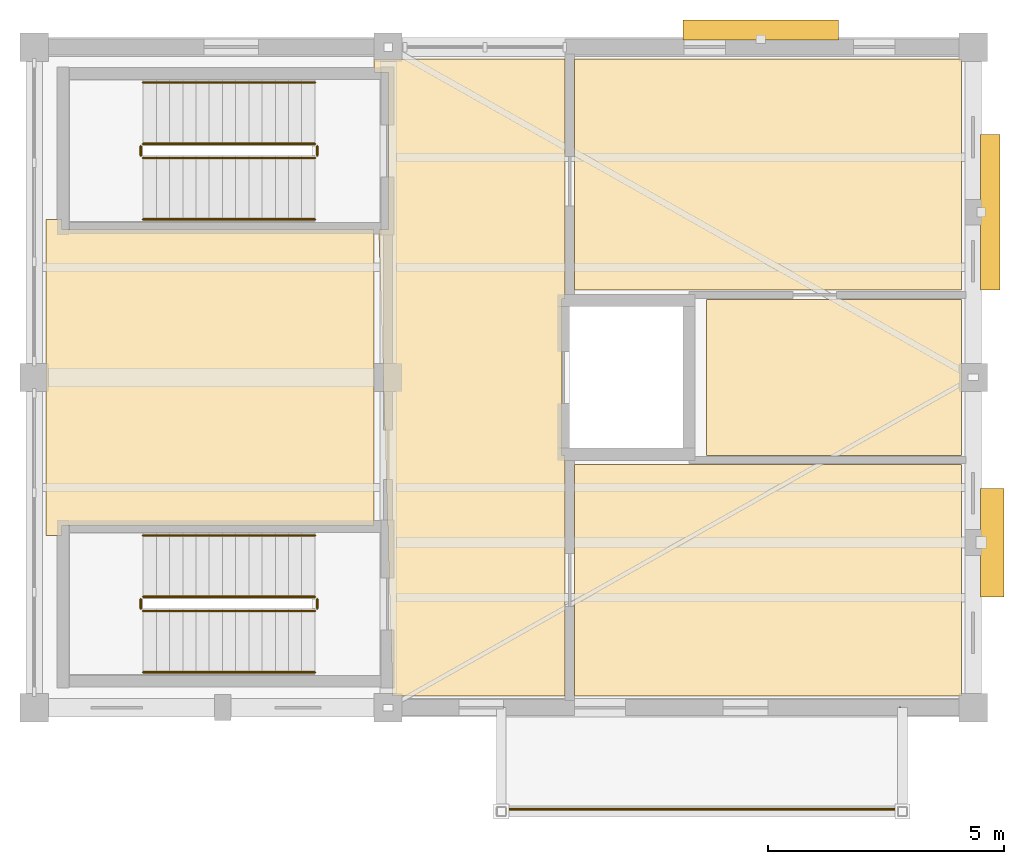
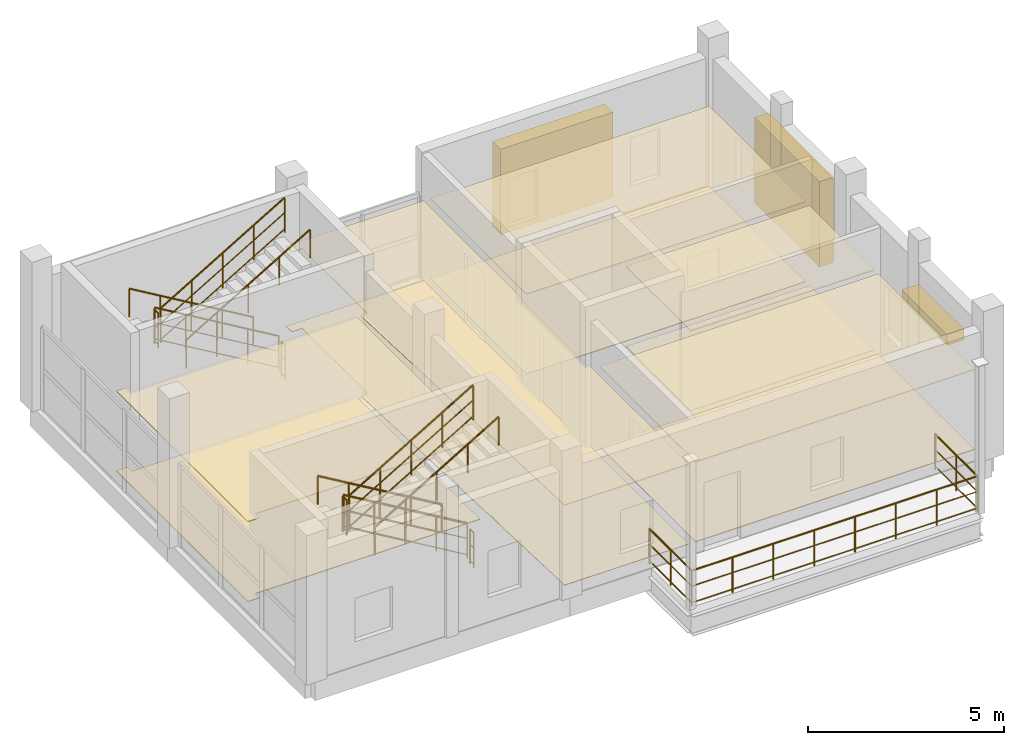
# One storey, part 4 of 4: 13 railings, 10 coverings, 3 shading devices.
"""IFC4 building model written with IfcOpenShell, lengths in metres."""

import ifcopenshell
import ifcopenshell.guid

model = None  # the IFC model being written
_history = None  # IfcOwnerHistory: only IFC2X3 demands one
_inside = {}  # id of a spatial element -> (the spatial element, [elements in it])
_under = {}  # id of a project, library or spatial element -> (it, [spatial elements below it])
_declared = {}  # id of a project -> (the project, [libraries it declares])
_typed = {}  # id of a type object -> (the type object, [elements of that type])
_made_of = {}  # id of a material, layer set ... -> (it, [elements and type objects made of it])


def new_model(schema):
    """Start an empty IFC model of exactly this schema.

    Asked for "IFC4X3", IfcOpenShell would pick the latest addendum, in which some entities
    have other attributes; the version numbers below select the first issue.
    IFC2X3 requires an IfcOwnerHistory on every rooted entity: one is made here for all.
    """
    global model, _history
    if schema == "IFC4X3":
        model = ifcopenshell.file(schema_version=(4, 3, 0, 0))
    else:
        model = ifcopenshell.file(schema=schema)
    _inside.clear()
    _under.clear()
    _declared.clear()
    _typed.clear()
    _made_of.clear()
    _history = None
    if model.schema == "IFC2X3":
        org = make("IfcOrganization", Name="unknown")
        user = make(
            "IfcPersonAndOrganization",
            ThePerson=make("IfcPerson", FamilyName="unknown"),
            TheOrganization=org,
        )
        app = make(
            "IfcApplication",
            ApplicationDeveloper=org,
            Version="unknown",
            ApplicationFullName="unknown",
            ApplicationIdentifier="unknown",
        )
        _history = make(
            "IfcOwnerHistory",
            OwningUser=user,
            OwningApplication=app,
            ChangeAction="ADDED",
            CreationDate=0,
        )
    return model


def make(cls, **values):
    """One entity of the class cls with the attributes given. An attribute that is None is left unset."""
    return model.create_entity(
        cls, **{name: value for name, value in values.items() if value is not None}
    )


def rooted(cls, **values):
    """An entity with a GlobalId (a new one), such as an element, a storey or a relation."""
    return make(cls, GlobalId=ifcopenshell.guid.new(), OwnerHistory=_history, **values)


def si_unit(unit_type, name, prefix=None):
    """IfcSIUnit, for example si_unit("LENGTHUNIT", "METRE", prefix="MILLI")."""
    return make("IfcSIUnit", UnitType=unit_type, Prefix=prefix, Name=name)


def assignment(units):
    """IfcUnitAssignment: the units of a project."""
    return None if units is None else make("IfcUnitAssignment", Units=units)


def point(xyz):
    """IfcCartesianPoint."""
    return None if xyz is None else make("IfcCartesianPoint", Coordinates=xyz)


def direction(xyz):
    """IfcDirection."""
    return None if xyz is None else make("IfcDirection", DirectionRatios=xyz)


def frame(location, z_axis=None, x_axis=None):
    """IfcAxis2Placement3D, a coordinate frame: its origin and axes. An axis left out is left unset."""
    return make(
        "IfcAxis2Placement3D",
        Location=point(location),
        Axis=direction(z_axis),
        RefDirection=direction(x_axis),
    )


def frame_2d(location, x_axis=None):
    """IfcAxis2Placement2D, a coordinate frame in the plane: its origin and x axis."""
    return make(
        "IfcAxis2Placement2D", Location=point(location), RefDirection=direction(x_axis)
    )


def origin():
    """The frame at (0, 0, 0) with its axes left unset."""
    return frame((0.0, 0.0, 0.0))


def origin_2d():
    """The frame at (0, 0) in the plane with its x axis left unset."""
    return frame_2d((0.0, 0.0))


def place(relative_to, where):
    """IfcLocalPlacement: puts the frame where relative to a parent placement (None: the world)."""
    return make(
        "IfcLocalPlacement", PlacementRelTo=relative_to, RelativePlacement=where
    )


def context(
    kind, dimensions, precision=None, world=None, true_north=None, identifier=None
):
    """IfcGeometricRepresentationContext, for example the 3D "Model" context."""
    return make(
        "IfcGeometricRepresentationContext",
        ContextIdentifier=identifier,
        ContextType=kind,
        CoordinateSpaceDimension=dimensions,
        Precision=precision,
        WorldCoordinateSystem=world,
        TrueNorth=true_north,
    )


def subcontext(parent, identifier, kind, view, scale=None):
    """IfcGeometricRepresentationSubContext, for example "Body" below "Model"."""
    return make(
        "IfcGeometricRepresentationSubContext",
        ContextIdentifier=identifier,
        ContextType=kind,
        ParentContext=parent,
        TargetScale=scale,
        TargetView=view,
    )


def project(units=None, contexts=None):
    """IfcProject with its units and contexts."""
    return rooted(
        "IfcProject",
        Name="project",
        RepresentationContexts=contexts,
        UnitsInContext=assignment(units),
    )


def spatial(cls, under=None, at=None, **own):
    """A site, building, storey or space (cls), placed at a placement, below another one or the project."""
    s = rooted(cls, ObjectPlacement=at, **own)
    if under is not None:
        _under.setdefault(under.id(), (under, []))[1].append(s)
    return s


def polyline(points):
    """IfcPolyline through the points."""
    return make("IfcPolyline", Points=[point(p) for p in points])


def profile(cls, at=None, kind="AREA", **sizes):
    """A parametric profile (cls). Its sizes go by their IFC names, for example OverallWidth=200.0."""
    return make(cls, ProfileType=kind, Position=at, **sizes)


def rectangle(**sizes):
    """IfcRectangleProfileDef."""
    return profile("IfcRectangleProfileDef", **sizes)


def circle(**sizes):
    """IfcCircleProfileDef."""
    return profile("IfcCircleProfileDef", **sizes)


def outline(outer, holes=None, kind="AREA"):
    """IfcArbitraryClosedProfileDef: a profile drawn as a closed curve; with holes, ...WithVoids."""
    if holes is None:
        return make("IfcArbitraryClosedProfileDef", ProfileType=kind, OuterCurve=outer)
    return make(
        "IfcArbitraryProfileDefWithVoids",
        ProfileType=kind,
        OuterCurve=outer,
        InnerCurves=holes,
    )


def extrude(swept, where, along, depth):
    """IfcExtrudedAreaSolid: the profile swept, set in the frame where, extruded along a direction by depth."""
    return make(
        "IfcExtrudedAreaSolid",
        SweptArea=swept,
        Position=where,
        ExtrudedDirection=direction(along),
        Depth=depth,
    )


def shape(context_of_items, identifier, shape_type, items):
    """IfcShapeRepresentation: the items that make up one representation, for example the "Body"."""
    return make(
        "IfcShapeRepresentation",
        ContextOfItems=context_of_items,
        RepresentationIdentifier=identifier,
        RepresentationType=shape_type,
        Items=items,
    )


def material(Name=None, Category=None):
    """IfcMaterial."""
    return make("IfcMaterial", Name=Name, Category=Category)


def layer(
    of_material, thickness, ventilated=None, Name=None, Category=None, Priority=None
):
    """IfcMaterialLayer: one layer of a wall or slab, of a material (None: an air gap)."""
    return make(
        "IfcMaterialLayer",
        Material=of_material,
        LayerThickness=thickness,
        IsVentilated=ventilated,
        Name=Name,
        Category=Category,
        Priority=Priority,
    )


def layer_set(layers, Name=None):
    """IfcMaterialLayerSet."""
    return make("IfcMaterialLayerSet", MaterialLayers=layers, LayerSetName=Name)


def made_of(thing, what):
    """Note that an element or type object is made of a material, layer set ...; save() writes the relation."""
    if what is not None:
        _made_of.setdefault(what.id(), (what, []))[1].append(thing)
    return thing


def type_object(cls, material=None, **own):
    """A type object (cls), such as IfcWallType, which elements share."""
    return made_of(rooted(cls, **own), material)


def element(
    cls,
    number,
    at=None,
    inside=None,
    cuts=None,
    type_object=None,
    material=None,
    context=None,
    identifier="Body",
    shape_type=None,
    held_by="IfcProductDefinitionShape",
    body=None,
    shapes=None,
    **own,
):
    """One element of the class cls, such as IfcWall. Its Tag is "e" and its number.

    at: its placement. inside: the storey or other place that contains it. cuts: it is an
    opening in that element (IfcRelVoidsElement). A single representation is given by context,
    identifier, shape_type and body (its items); several are given by shapes. held_by: the class
    of the entity that holds the representations. save() writes the other relations.
    """
    e = rooted(cls, Tag="e%d" % number, ObjectPlacement=at, **own)
    if body is not None:
        shapes = [shape(context, identifier, shape_type, body)]
    if shapes is not None:
        e.Representation = make(held_by, Representations=shapes)
    if inside is not None:
        _inside.setdefault(inside.id(), (inside, []))[1].append(e)
    if cuts is not None:
        rooted(
            "IfcRelVoidsElement", RelatingBuildingElement=cuts, RelatedOpeningElement=e
        )
    if type_object is not None:
        _typed.setdefault(type_object.id(), (type_object, []))[1].append(e)
    return made_of(e, material)


def aggregate(whole, parts):
    """IfcRelAggregates: a whole, such as a stair, and the parts it consists of."""
    return rooted("IfcRelAggregates", RelatingObject=whole, RelatedObjects=parts)


def save(model, path):
    """Write the relations noted so far, then the file.

    IfcRelAggregates (storeys below a building ...), IfcRelContainedInSpatialStructure (elements
    in a storey), IfcRelDefinesByType, IfcRelAssociatesMaterial and IfcRelDeclares: one each for
    every whole, place, type object, material and project.
    """
    for whole, parts in _under.values():
        aggregate(whole, parts)
    for where, things in _inside.values():
        rooted(
            "IfcRelContainedInSpatialStructure",
            RelatedElements=things,
            RelatingStructure=where,
        )
    for kind, things in _typed.values():
        rooted("IfcRelDefinesByType", RelatedObjects=things, RelatingType=kind)
    for what, things in _made_of.values():
        rooted("IfcRelAssociatesMaterial", RelatedObjects=things, RelatingMaterial=what)
    for by, libraries in _declared.values():
        rooted("IfcRelDeclares", RelatingContext=by, RelatedDefinitions=libraries)
    model.write(path)


model = new_model("IFC4")

# Units and contexts
model_context = context("Model", 3, precision=1e-05, world=origin(), true_north=direction((0.0, 1.0)))
body_context = subcontext(model_context, "Body", "Model", "MODEL_VIEW")
ifc_project = project(units=[si_unit("LENGTHUNIT", "METRE"), si_unit("AREAUNIT", "SQUARE_METRE"), si_unit("VOLUMEUNIT", "CUBIC_METRE"), si_unit("PLANEANGLEUNIT", "RADIAN"), si_unit("MASSUNIT", "GRAM", prefix="KILO")], contexts=[model_context])

# Site, building, storey
site_placement = place(None, origin())
site = spatial("IfcSite", under=ifc_project, at=site_placement, CompositionType="ELEMENT")
building_placement = place(site_placement, origin())
building = spatial("IfcBuilding", under=site, at=building_placement, Name="Trellovar Central Fire Station", CompositionType="ELEMENT")
storey_placement = place(building_placement, frame((0.0, 0.0, 17.39990234375)))
storey = spatial("IfcBuildingStorey", under=building, at=storey_placement, Name="L05", CompositionType="ELEMENT", Elevation=17.39990234375)

# Coverings
ifc_material_1 = material(Name="Perforated acoustic mineral fiber ceiling tile", Category="mineral")
ifc_layer_1 = layer(ifc_material_1, 0.02490234375)
ifc_layer_set_1 = layer_set([ifc_layer_1], Name="Perforated acoustic mineral fiber ceiling tile")
covering_type_1 = type_object("IfcCoveringType", Name="COV-CLG1", PredefinedType="CEILING", material=ifc_layer_set_1)
covering_1_placement = place(storey_placement, frame((0.0, 0.0, 2.47998046875)))
element("IfcCovering", 1, at=covering_1_placement, inside=storey, type_object=covering_type_1, Name="Drill Tower Level Five Lobby suspended ceiling", PredefinedType="CEILING", context=body_context, shape_type="SweptSolid", body=[
    extrude(outline(polyline([(152.35009765625, 67.659912109375), (152.2900390625, 67.659912109375), (152.2900390625, 64.340087890625), (152.35009765625, 64.340087890625), (152.35009765625, 59.25), (148.699951171875, 59.25), (148.610107421875, 62.287109375), (148.610107421875, 62.860107421875), (148.593017578125, 62.860107421875), (148.406982421875, 69.139892578125), (148.610107421875, 69.139892578125), (148.610107421875, 72.4599609375), (148.30908203125, 72.4599609375), (148.300048828125, 72.75), (152.35009765625, 72.75), (152.35009765625, 67.659912109375)])), origin(), (0.0, 0.0, 1.0), 0.025146484375),
])
covering_2_placement = place(storey_placement, frame((0.0, 0.0, 2.47998046875)))
element("IfcCovering", 2, at=covering_2_placement, inside=storey, type_object=covering_type_1, Name="Confined Space Rescue Chamber suspended ceiling", PredefinedType="CEILING", context=body_context, shape_type="SweptSolid", body=[
    extrude(outline(polyline([(141.68994140625, 69.35009765625), (141.68994140625, 69.139892578125), (148.300048828125, 69.139892578125), (148.300048828125, 62.860107421875), (141.68994140625, 62.860107421875), (141.68994140625, 62.64990234375), (141.35009765625, 62.64990234375), (141.35009765625, 69.35009765625), (141.68994140625, 69.35009765625)])), origin(), (0.0, 0.0, 1.0), 0.025146484375),
])
covering_3_placement = place(storey_placement, frame((0.0, 0.0, 2.47998046875)))
element("IfcCovering", 3, at=covering_3_placement, inside=storey, type_object=covering_type_1, Name="High-Angle Rope Rescue Deck suspended ceiling", PredefinedType="CEILING", context=body_context, shape_type="SweptSolid", body=[
    extrude(outline(polyline([(160.75, 59.25), (152.550048828125, 59.25), (152.550048828125, 64.14990234375), (160.75, 64.14990234375), (160.75, 59.25)])), origin(), (0.0, 0.0, 1.0), 0.025146484375),
])
covering_4_placement = place(storey_placement, frame((0.0, 0.0, 2.47998046875)))
element("IfcCovering", 4, at=covering_4_placement, inside=storey, type_object=covering_type_1, Name="Thermal Telemetry Control Studio suspended ceiling", PredefinedType="CEILING", context=body_context, shape_type="SweptSolid", body=[
    extrude(outline(polyline([(160.75, 67.85009765625), (152.550048828125, 67.85009765625), (152.550048828125, 72.75), (160.75, 72.75), (160.75, 67.85009765625)])), origin(), (0.0, 0.0, 1.0), 0.025146484375),
])
ifc_material_2 = material(Name="Moisture-resistant gypsum ceiling board", Category="gypsum")
ifc_layer_2 = layer(ifc_material_2, 0.030029296875)
ifc_layer_set_2 = layer_set([ifc_layer_2], Name="Moisture-resistant gypsum ceiling board")
covering_type_2 = type_object("IfcCoveringType", Name="COV-CLG2", PredefinedType="CEILING", material=ifc_layer_set_2)
covering_5_placement = place(storey_placement, frame((0.0, 0.0, 2.47998046875)))
element("IfcCovering", 5, at=covering_5_placement, inside=storey, type_object=covering_type_2, Name="Tower Level Five Restroom suspended ceiling", PredefinedType="CEILING", context=body_context, shape_type="SweptSolid", body=[
    extrude(outline(polyline([(160.75, 64.35009765625), (155.35009765625, 64.35009765625), (155.35009765625, 67.64990234375), (160.75, 67.64990234375), (160.75, 64.35009765625)])), origin(), (0.0, 0.0, 1.0), 0.030029296875),
])
ifc_material_3 = material(Name="Vitrified Catalan ceramic floor tile", Category="masonry")
ifc_layer_3 = layer(ifc_material_3, 0.01806640625)
ifc_layer_set_3 = layer_set([ifc_layer_3], Name="Vitrified Catalan ceramic floor tile")
covering_type_3 = type_object("IfcCoveringType", Name="COV-FLR2", PredefinedType="FLOORING", material=ifc_layer_set_3)
covering_6_placement = place(storey_placement, origin())
element("IfcCovering", 6, at=covering_6_placement, inside=storey, type_object=covering_type_3, Name="Drill Tower Level Five Lobby floor finish", PredefinedType="FLOORING", context=body_context, shape_type="SweptSolid", body=[
    extrude(outline(polyline([(152.35009765625, 67.659912109375), (152.2900390625, 67.659912109375), (152.2900390625, 64.340087890625), (152.35009765625, 64.340087890625), (152.35009765625, 59.25), (148.699951171875, 59.25), (148.610107421875, 62.287109375), (148.610107421875, 62.860107421875), (148.593017578125, 62.860107421875), (148.406982421875, 69.139892578125), (148.610107421875, 69.139892578125), (148.610107421875, 72.4599609375), (148.30908203125, 72.4599609375), (148.300048828125, 72.75), (152.35009765625, 72.75), (152.35009765625, 67.659912109375)])), origin(), (0.0, 0.0, 1.0), 0.01806640625),
])
covering_7_placement = place(storey_placement, origin())
element("IfcCovering", 7, at=covering_7_placement, inside=storey, type_object=covering_type_3, Name="Thermal Telemetry Control Studio floor finish", PredefinedType="FLOORING", context=body_context, shape_type="SweptSolid", body=[
    extrude(outline(polyline([(160.75, 67.85009765625), (152.550048828125, 67.85009765625), (152.550048828125, 72.75), (160.75, 72.75), (160.75, 67.85009765625)])), origin(), (0.0, 0.0, 1.0), 0.01806640625),
])
covering_8_placement = place(storey_placement, origin())
element("IfcCovering", 8, at=covering_8_placement, inside=storey, type_object=covering_type_3, Name="Tower Level Five Restroom floor finish", PredefinedType="FLOORING", context=body_context, shape_type="SweptSolid", body=[
    extrude(outline(polyline([(160.75, 64.35009765625), (155.35009765625, 64.35009765625), (155.35009765625, 67.64990234375), (160.75, 67.64990234375), (160.75, 64.35009765625)])), origin(), (0.0, 0.0, 1.0), 0.01806640625),
])
ifc_material_4 = material(Name="Resilient athletic impact rubber flooring", Category="finish")
ifc_layer_4 = layer(ifc_material_4, 0.02001953125)
ifc_layer_set_4 = layer_set([ifc_layer_4], Name="Resilient athletic impact rubber flooring")
covering_type_4 = type_object("IfcCoveringType", Name="COV-FLR3", PredefinedType="FLOORING", material=ifc_layer_set_4)
covering_9_placement = place(storey_placement, origin())
element("IfcCovering", 9, at=covering_9_placement, inside=storey, type_object=covering_type_4, Name="Confined Space Rescue Chamber floor finish", PredefinedType="FLOORING", context=body_context, shape_type="SweptSolid", body=[
    extrude(outline(polyline([(141.68994140625, 69.35009765625), (141.68994140625, 69.139892578125), (148.300048828125, 69.139892578125), (148.300048828125, 62.860107421875), (141.68994140625, 62.860107421875), (141.68994140625, 62.64990234375), (141.35009765625, 62.64990234375), (141.35009765625, 69.35009765625), (141.68994140625, 69.35009765625)])), origin(), (0.0, 0.0, 1.0), 0.02001953125),
])
covering_10_placement = place(storey_placement, origin())
element("IfcCovering", 10, at=covering_10_placement, inside=storey, type_object=covering_type_4, Name="High-Angle Rope Rescue Deck floor finish", PredefinedType="FLOORING", context=body_context, shape_type="SweptSolid", body=[
    extrude(outline(polyline([(160.75, 59.25), (152.550048828125, 59.25), (152.550048828125, 64.14990234375), (160.75, 64.14990234375), (160.75, 59.25)])), origin(), (0.0, 0.0, 1.0), 0.02001953125),
])

# Railings
ifc_material_5 = material(Name="Patina bronze wrought metalwork", Category="metal")
ifc_layer_5 = layer(ifc_material_5, 0.06005859375)
ifc_layer_set_5 = layer_set([ifc_layer_5], Name="Patina bronze wrought metalwork")
railing_type_1 = type_object("IfcRailingType", Name="RL-GUARD1", PredefinedType="GUARDRAIL", material=ifc_layer_set_5)
railing_1_placement = place(storey_placement, frame((151.050048828125, 59.0, 0.0)))
element("IfcRailing", 11, at=railing_1_placement, inside=storey, type_object=railing_type_1, Name="V2 L05 rappel evolution balcony guardrail", PredefinedType="GUARDRAIL", context=body_context, shape_type="SweptSolid", body=[
    extrude(circle(Radius=0.02392578125, at=origin_2d()), frame((0.0, 0.0, 1.09619140625), z_axis=(0.0, -1.0, 0.0), x_axis=(1.0, 0.0, 0.0)), (0.0, 0.0, 1.0), 2.14990234375),
    extrude(circle(Radius=0.015625, at=origin_2d()), frame((0.0, 0.0, 0.10009765625), z_axis=(0.0, -1.0, 0.0), x_axis=(1.0, 0.0, 0.0)), (0.0, 0.0, 1.0), 2.14990234375),
    extrude(circle(Radius=0.015625, at=origin_2d()), frame((0.0, 0.0, 0.615966796875), z_axis=(0.0, -1.0, 0.0), x_axis=(1.0, 0.0, 0.0)), (0.0, 0.0, 1.0), 2.14990234375),
    extrude(circle(Radius=0.02392578125, at=origin_2d()), frame((0.0, -2.14990234375, 1.09619140625), z_axis=(1.0, 0.0, 0.0), x_axis=(0.0, 1.0, 0.0)), (0.0, 0.0, 1.0), 8.39990234375),
    extrude(circle(Radius=0.015625, at=origin_2d()), frame((0.0, -2.14990234375, 0.10009765625), z_axis=(1.0, 0.0, 0.0), x_axis=(0.0, 1.0, 0.0)), (0.0, 0.0, 1.0), 8.39990234375),
    extrude(circle(Radius=0.015625, at=origin_2d()), frame((0.0, -2.14990234375, 0.615966796875), z_axis=(1.0, 0.0, 0.0), x_axis=(0.0, 1.0, 0.0)), (0.0, 0.0, 1.0), 8.39990234375),
    extrude(circle(Radius=0.02392578125, at=origin_2d()), frame((8.39990234375, -2.14990234375, 1.09619140625), z_axis=(0.0, 1.0, 0.0), x_axis=(-1.0, 0.0, 0.0)), (0.0, 0.0, 1.0), 2.14990234375),
    extrude(circle(Radius=0.015625, at=origin_2d()), frame((8.39990234375, -2.14990234375, 0.10009765625), z_axis=(0.0, 1.0, 0.0), x_axis=(-1.0, 0.0, 0.0)), (0.0, 0.0, 1.0), 2.14990234375),
    extrude(circle(Radius=0.015625, at=origin_2d()), frame((8.39990234375, -2.14990234375, 0.615966796875), z_axis=(0.0, 1.0, 0.0), x_axis=(-1.0, 0.0, 0.0)), (0.0, 0.0, 1.0), 2.14990234375),
    extrude(circle(Radius=0.02099609375, at=origin_2d()), origin(), (0.0, 0.0, 1.0), 1.072021484375),
    extrude(circle(Radius=0.02099609375, at=origin_2d()), frame((0.0, -1.074951171875, 0.0)), (0.0, 0.0, 1.0), 1.072021484375),
    extrude(circle(Radius=0.02099609375, at=origin_2d()), frame((0.0, -2.14990234375, 0.0)), (0.0, 0.0, 1.0), 1.072021484375),
    extrude(circle(Radius=0.02099609375, at=origin_2d()), frame((1.199951171875, -2.14990234375, 0.0)), (0.0, 0.0, 1.0), 1.072021484375),
    extrude(circle(Radius=0.02099609375, at=origin_2d()), frame((2.39990234375, -2.14990234375, 0.0)), (0.0, 0.0, 1.0), 1.072021484375),
    extrude(circle(Radius=0.02099609375, at=origin_2d()), frame((3.599853515625, -2.14990234375, 0.0)), (0.0, 0.0, 1.0), 1.072021484375),
    extrude(circle(Radius=0.02099609375, at=origin_2d()), frame((4.800048828125, -2.14990234375, 0.0)), (0.0, 0.0, 1.0), 1.072021484375),
    extrude(circle(Radius=0.02099609375, at=origin_2d()), frame((6.0, -2.14990234375, 0.0)), (0.0, 0.0, 1.0), 1.072021484375),
    extrude(circle(Radius=0.02099609375, at=origin_2d()), frame((7.199951171875, -2.14990234375, 0.0)), (0.0, 0.0, 1.0), 1.072021484375),
    extrude(circle(Radius=0.02099609375, at=origin_2d()), frame((8.39990234375, -2.14990234375, 0.0)), (0.0, 0.0, 1.0), 1.072021484375),
    extrude(circle(Radius=0.02099609375, at=origin_2d()), frame((8.39990234375, -1.074951171875, 0.0)), (0.0, 0.0, 1.0), 1.072021484375),
    extrude(circle(Radius=0.02099609375, at=origin_2d()), frame((8.39990234375, 0.0, 0.0)), (0.0, 0.0, 1.0), 1.072021484375),
])
ifc_material_6 = material(Name="Patina bronze wrought metalwork", Category="metal")
ifc_layer_6 = layer(ifc_material_6, 0.048095703125)
ifc_layer_set_6 = layer_set([ifc_layer_6], Name="Patina bronze wrought metalwork")
railing_type_2 = type_object("IfcRailingType", Name="RL-STAIR", PredefinedType="HANDRAIL", material=ifc_layer_set_6)
railing_2_placement = place(storey_placement, frame((147.050048828125, 62.64990234375, 0.166259765625)))
element("IfcRailing", 12, at=railing_2_placement, inside=storey, type_object=railing_type_2, Name="L05 ST-05 stair handrail 1", PredefinedType="HANDRAIL", context=body_context, shape_type="SweptSolid", body=[
    extrude(circle(Radius=0.02392578125, at=origin_2d()), frame((0.0, 0.0, 0.8759765625), z_axis=(-0.860103130531, 0.0, 0.510120186672), x_axis=(0.0, -1.0, 0.0)), (0.0, 0.0, 1.0), 4.232177734375),
    extrude(circle(Radius=0.02099609375, at=origin_2d()), origin(), (0.0, 0.0, 1.0), 0.851806640625),
    extrude(circle(Radius=0.02099609375, at=origin_2d()), frame((-0.91015625, 0.0, 0.539794921875)), (0.0, 0.0, 1.0), 0.851806640625),
    extrude(circle(Radius=0.02099609375, at=origin_2d()), frame((-1.820068359375, 0.0, 1.07958984375)), (0.0, 0.0, 1.0), 0.851806640625),
    extrude(circle(Radius=0.02099609375, at=origin_2d()), frame((-2.72998046875, 0.0, 1.619140625)), (0.0, 0.0, 1.0), 0.851806640625),
    extrude(circle(Radius=0.02099609375, at=origin_2d()), frame((-3.64013671875, 0.0, 2.158935546875)), (0.0, 0.0, 1.0), 0.851806640625),
])
railing_3_placement = place(storey_placement, frame((143.409912109375, 59.75, 2.4912109375)))
element("IfcRailing", 13, at=railing_3_placement, inside=storey, type_object=railing_type_2, Name="L05 ST-05 stair handrail 2", PredefinedType="HANDRAIL", context=body_context, shape_type="SweptSolid", body=[
    extrude(circle(Radius=0.02392578125, at=origin_2d()), frame((0.0, 0.0, 0.8759765625), z_axis=(0.860103130531, 0.0, 0.510120186672), x_axis=(0.0, 1.0, 0.0)), (0.0, 0.0, 1.0), 4.232177734375),
    extrude(circle(Radius=0.02099609375, at=origin_2d()), origin(), (0.0, 0.0, 1.0), 0.851806640625),
    extrude(circle(Radius=0.02099609375, at=origin_2d()), frame((0.91015625, 0.0, 0.539794921875)), (0.0, 0.0, 1.0), 0.851806640625),
    extrude(circle(Radius=0.02099609375, at=origin_2d()), frame((1.820068359375, 0.0, 1.07958984375)), (0.0, 0.0, 1.0), 0.851806640625),
    extrude(circle(Radius=0.02099609375, at=origin_2d()), frame((2.72998046875, 0.0, 1.619140625)), (0.0, 0.0, 1.0), 0.851806640625),
    extrude(circle(Radius=0.02099609375, at=origin_2d()), frame((3.64013671875, 0.0, 2.158935546875)), (0.0, 0.0, 1.0), 0.851806640625),
])
railing_4_placement = place(storey_placement, frame((147.050048828125, 72.25, 0.166259765625)))
element("IfcRailing", 14, at=railing_4_placement, inside=storey, type_object=railing_type_2, Name="L05 ST-06 stair handrail 1", PredefinedType="HANDRAIL", context=body_context, shape_type="SweptSolid", body=[
    extrude(circle(Radius=0.02392578125, at=origin_2d()), frame((0.0, 0.0, 0.8759765625), z_axis=(-0.860103130531, 0.0, 0.510120186672), x_axis=(0.0, -1.0, 0.0)), (0.0, 0.0, 1.0), 4.232177734375),
    extrude(circle(Radius=0.02099609375, at=origin_2d()), origin(), (0.0, 0.0, 1.0), 0.851806640625),
    extrude(circle(Radius=0.02099609375, at=origin_2d()), frame((-0.91015625, 0.0, 0.539794921875)), (0.0, 0.0, 1.0), 0.851806640625),
    extrude(circle(Radius=0.02099609375, at=origin_2d()), frame((-1.820068359375, 0.0, 1.07958984375)), (0.0, 0.0, 1.0), 0.851806640625),
    extrude(circle(Radius=0.02099609375, at=origin_2d()), frame((-2.72998046875, 0.0, 1.619140625)), (0.0, 0.0, 1.0), 0.851806640625),
    extrude(circle(Radius=0.02099609375, at=origin_2d()), frame((-3.64013671875, 0.0, 2.158935546875)), (0.0, 0.0, 1.0), 0.851806640625),
])
railing_5_placement = place(storey_placement, frame((143.409912109375, 69.35009765625, 2.4912109375)))
element("IfcRailing", 15, at=railing_5_placement, inside=storey, type_object=railing_type_2, Name="L05 ST-06 stair handrail 2", PredefinedType="HANDRAIL", context=body_context, shape_type="SweptSolid", body=[
    extrude(circle(Radius=0.02392578125, at=origin_2d()), frame((0.0, 0.0, 0.8759765625), z_axis=(0.860103130531, 0.0, 0.510120186672), x_axis=(0.0, 1.0, 0.0)), (0.0, 0.0, 1.0), 4.232177734375),
    extrude(circle(Radius=0.02099609375, at=origin_2d()), origin(), (0.0, 0.0, 1.0), 0.851806640625),
    extrude(circle(Radius=0.02099609375, at=origin_2d()), frame((0.91015625, 0.0, 0.539794921875)), (0.0, 0.0, 1.0), 0.851806640625),
    extrude(circle(Radius=0.02099609375, at=origin_2d()), frame((1.820068359375, 0.0, 1.07958984375)), (0.0, 0.0, 1.0), 0.851806640625),
    extrude(circle(Radius=0.02099609375, at=origin_2d()), frame((2.72998046875, 0.0, 1.619140625)), (0.0, 0.0, 1.0), 0.851806640625),
    extrude(circle(Radius=0.02099609375, at=origin_2d()), frame((3.64013671875, 0.0, 2.158935546875)), (0.0, 0.0, 1.0), 0.851806640625),
])
ifc_material_7 = material(Name="Patina bronze wrought metalwork", Category="metal")
ifc_layer_7 = layer(ifc_material_7, 0.050048828125)
ifc_layer_set_7 = layer_set([ifc_layer_7], Name="Patina bronze wrought metalwork")
railing_type_3 = type_object("IfcRailingType", Name="RL-STGUARD", PredefinedType="GUARDRAIL", material=ifc_layer_set_7)
railing_6_placement = place(storey_placement, frame((147.050048828125, 61.35009765625, 0.166259765625)))
element("IfcRailing", 16, at=railing_6_placement, inside=storey, type_object=railing_type_3, Name="L05 ST-05 stair guard 1", PredefinedType="GUARDRAIL", context=body_context, shape_type="SweptSolid", body=[
    extrude(circle(Radius=0.02392578125, at=origin_2d()), frame((0.0, 0.0, 1.076171875), z_axis=(-0.860103130531, 0.0, 0.510120186672), x_axis=(0.0, -1.0, 0.0)), (0.0, 0.0, 1.0), 4.232177734375),
    extrude(circle(Radius=0.015625, at=origin_2d()), frame((0.0, 0.0, 0.10009765625), z_axis=(-0.860103130531, 0.0, 0.510120186672), x_axis=(0.0, -1.0, 0.0)), (0.0, 0.0, 1.0), 4.232177734375),
    extrude(circle(Radius=0.015625, at=origin_2d()), frame((0.0, 0.0, 0.60498046875), z_axis=(-0.860103130531, 0.0, 0.510120186672), x_axis=(0.0, -1.0, 0.0)), (0.0, 0.0, 1.0), 4.232177734375),
    extrude(circle(Radius=0.02099609375, at=origin_2d()), origin(), (0.0, 0.0, 1.0), 1.052001953125),
    extrude(circle(Radius=0.02099609375, at=origin_2d()), frame((-0.91015625, 0.0, 0.539794921875)), (0.0, 0.0, 1.0), 1.052001953125),
    extrude(circle(Radius=0.02099609375, at=origin_2d()), frame((-1.820068359375, 0.0, 1.07958984375)), (0.0, 0.0, 1.0), 1.052001953125),
    extrude(circle(Radius=0.02099609375, at=origin_2d()), frame((-2.72998046875, 0.0, 1.619140625)), (0.0, 0.0, 1.0), 1.052001953125),
    extrude(circle(Radius=0.02099609375, at=origin_2d()), frame((-3.64013671875, 0.0, 2.158935546875)), (0.0, 0.0, 1.0), 1.052001953125),
])
railing_7_placement = place(storey_placement, frame((143.360107421875, 61.300048828125, 2.3251953125)))
element("IfcRailing", 17, at=railing_7_placement, inside=storey, type_object=railing_type_3, Name="L05 ST-05 stair guard 2", PredefinedType="GUARDRAIL", context=body_context, shape_type="SweptSolid", body=[
    extrude(circle(Radius=0.02392578125, at=origin_2d()), frame((0.0, 0.0, 1.076171875), z_axis=(0.0, -1.0, 0.0), x_axis=(1.0, 0.0, 0.0)), (0.0, 0.0, 1.0), 0.199951171875),
    extrude(circle(Radius=0.015625, at=origin_2d()), frame((0.0, 0.0, 0.10009765625), z_axis=(0.0, -1.0, 0.0), x_axis=(1.0, 0.0, 0.0)), (0.0, 0.0, 1.0), 0.199951171875),
    extrude(circle(Radius=0.015625, at=origin_2d()), frame((0.0, 0.0, 0.60498046875), z_axis=(0.0, -1.0, 0.0), x_axis=(1.0, 0.0, 0.0)), (0.0, 0.0, 1.0), 0.199951171875),
    extrude(circle(Radius=0.02099609375, at=origin_2d()), origin(), (0.0, 0.0, 1.0), 1.052001953125),
    extrude(circle(Radius=0.02099609375, at=origin_2d()), frame((0.0, -0.199951171875, 0.0)), (0.0, 0.0, 1.0), 1.052001953125),
])
railing_8_placement = place(storey_placement, frame((143.409912109375, 61.050048828125, 2.4912109375)))
element("IfcRailing", 18, at=railing_8_placement, inside=storey, type_object=railing_type_3, Name="L05 ST-05 stair guard 3", PredefinedType="GUARDRAIL", context=body_context, shape_type="SweptSolid", body=[
    extrude(circle(Radius=0.02392578125, at=origin_2d()), frame((0.0, 0.0, 1.076171875), z_axis=(0.860103130531, 0.0, 0.510120186672), x_axis=(0.0, 1.0, 0.0)), (0.0, 0.0, 1.0), 4.232177734375),
    extrude(circle(Radius=0.015625, at=origin_2d()), frame((0.0, 0.0, 0.10009765625), z_axis=(0.860103130531, 0.0, 0.510120186672), x_axis=(0.0, 1.0, 0.0)), (0.0, 0.0, 1.0), 4.232177734375),
    extrude(circle(Radius=0.015625, at=origin_2d()), frame((0.0, 0.0, 0.60498046875), z_axis=(0.860103130531, 0.0, 0.510120186672), x_axis=(0.0, 1.0, 0.0)), (0.0, 0.0, 1.0), 4.232177734375),
    extrude(circle(Radius=0.02099609375, at=origin_2d()), origin(), (0.0, 0.0, 1.0), 1.052001953125),
    extrude(circle(Radius=0.02099609375, at=origin_2d()), frame((0.91015625, 0.0, 0.539794921875)), (0.0, 0.0, 1.0), 1.052001953125),
    extrude(circle(Radius=0.02099609375, at=origin_2d()), frame((1.820068359375, 0.0, 1.07958984375)), (0.0, 0.0, 1.0), 1.052001953125),
    extrude(circle(Radius=0.02099609375, at=origin_2d()), frame((2.72998046875, 0.0, 1.619140625)), (0.0, 0.0, 1.0), 1.052001953125),
    extrude(circle(Radius=0.02099609375, at=origin_2d()), frame((3.64013671875, 0.0, 2.158935546875)), (0.0, 0.0, 1.0), 1.052001953125),
])
railing_9_placement = place(storey_placement, frame((147.10009765625, 61.300048828125, 0.0)))
element("IfcRailing", 19, at=railing_9_placement, inside=storey, type_object=railing_type_3, Name="L05 ST-05 stair guard 4", PredefinedType="GUARDRAIL", context=body_context, shape_type="SweptSolid", body=[
    extrude(circle(Radius=0.02392578125, at=origin_2d()), frame((0.0, 0.0, 1.076171875), z_axis=(0.0, -1.0, 0.0), x_axis=(1.0, 0.0, 0.0)), (0.0, 0.0, 1.0), 0.199951171875),
    extrude(circle(Radius=0.015625, at=origin_2d()), frame((0.0, 0.0, 0.10009765625), z_axis=(0.0, -1.0, 0.0), x_axis=(1.0, 0.0, 0.0)), (0.0, 0.0, 1.0), 0.199951171875),
    extrude(circle(Radius=0.015625, at=origin_2d()), frame((0.0, 0.0, 0.60498046875), z_axis=(0.0, -1.0, 0.0), x_axis=(1.0, 0.0, 0.0)), (0.0, 0.0, 1.0), 0.199951171875),
    extrude(circle(Radius=0.02099609375, at=origin_2d()), origin(), (0.0, 0.0, 1.0), 1.052001953125),
    extrude(circle(Radius=0.02099609375, at=origin_2d()), frame((0.0, -0.199951171875, 0.0)), (0.0, 0.0, 1.0), 1.052001953125),
])
railing_10_placement = place(storey_placement, frame((147.050048828125, 70.949951171875, 0.166259765625)))
element("IfcRailing", 20, at=railing_10_placement, inside=storey, type_object=railing_type_3, Name="L05 ST-06 stair guard 1", PredefinedType="GUARDRAIL", context=body_context, shape_type="SweptSolid", body=[
    extrude(circle(Radius=0.02392578125, at=origin_2d()), frame((0.0, 0.0, 1.076171875), z_axis=(-0.860103130531, 0.0, 0.510120186672), x_axis=(0.0, -1.0, 0.0)), (0.0, 0.0, 1.0), 4.232177734375),
    extrude(circle(Radius=0.015625, at=origin_2d()), frame((0.0, 0.0, 0.10009765625), z_axis=(-0.860103130531, 0.0, 0.510120186672), x_axis=(0.0, -1.0, 0.0)), (0.0, 0.0, 1.0), 4.232177734375),
    extrude(circle(Radius=0.015625, at=origin_2d()), frame((0.0, 0.0, 0.60498046875), z_axis=(-0.860103130531, 0.0, 0.510120186672), x_axis=(0.0, -1.0, 0.0)), (0.0, 0.0, 1.0), 4.232177734375),
    extrude(circle(Radius=0.02099609375, at=origin_2d()), origin(), (0.0, 0.0, 1.0), 1.052001953125),
    extrude(circle(Radius=0.02099609375, at=origin_2d()), frame((-0.91015625, 0.0, 0.539794921875)), (0.0, 0.0, 1.0), 1.052001953125),
    extrude(circle(Radius=0.02099609375, at=origin_2d()), frame((-1.820068359375, 0.0, 1.07958984375)), (0.0, 0.0, 1.0), 1.052001953125),
    extrude(circle(Radius=0.02099609375, at=origin_2d()), frame((-2.72998046875, 0.0, 1.619140625)), (0.0, 0.0, 1.0), 1.052001953125),
    extrude(circle(Radius=0.02099609375, at=origin_2d()), frame((-3.64013671875, 0.0, 2.158935546875)), (0.0, 0.0, 1.0), 1.052001953125),
])
railing_11_placement = place(storey_placement, frame((143.360107421875, 70.89990234375, 2.3251953125)))
element("IfcRailing", 21, at=railing_11_placement, inside=storey, type_object=railing_type_3, Name="L05 ST-06 stair guard 2", PredefinedType="GUARDRAIL", context=body_context, shape_type="SweptSolid", body=[
    extrude(circle(Radius=0.02392578125, at=origin_2d()), frame((0.0, 0.0, 1.076171875), z_axis=(0.0, -1.0, 0.0), x_axis=(1.0, 0.0, 0.0)), (0.0, 0.0, 1.0), 0.199951171875),
    extrude(circle(Radius=0.015625, at=origin_2d()), frame((0.0, 0.0, 0.10009765625), z_axis=(0.0, -1.0, 0.0), x_axis=(1.0, 0.0, 0.0)), (0.0, 0.0, 1.0), 0.199951171875),
    extrude(circle(Radius=0.015625, at=origin_2d()), frame((0.0, 0.0, 0.60498046875), z_axis=(0.0, -1.0, 0.0), x_axis=(1.0, 0.0, 0.0)), (0.0, 0.0, 1.0), 0.199951171875),
    extrude(circle(Radius=0.02099609375, at=origin_2d()), origin(), (0.0, 0.0, 1.0), 1.052001953125),
    extrude(circle(Radius=0.02099609375, at=origin_2d()), frame((0.0, -0.199951171875, 0.0)), (0.0, 0.0, 1.0), 1.052001953125),
])
railing_12_placement = place(storey_placement, frame((143.409912109375, 70.64990234375, 2.4912109375)))
element("IfcRailing", 22, at=railing_12_placement, inside=storey, type_object=railing_type_3, Name="L05 ST-06 stair guard 3", PredefinedType="GUARDRAIL", context=body_context, shape_type="SweptSolid", body=[
    extrude(circle(Radius=0.02392578125, at=origin_2d()), frame((0.0, 0.0, 1.076171875), z_axis=(0.860103130531, 0.0, 0.510120186672), x_axis=(0.0, 1.0, 0.0)), (0.0, 0.0, 1.0), 4.232177734375),
    extrude(circle(Radius=0.015625, at=origin_2d()), frame((0.0, 0.0, 0.10009765625), z_axis=(0.860103130531, 0.0, 0.510120186672), x_axis=(0.0, 1.0, 0.0)), (0.0, 0.0, 1.0), 4.232177734375),
    extrude(circle(Radius=0.015625, at=origin_2d()), frame((0.0, 0.0, 0.60498046875), z_axis=(0.860103130531, 0.0, 0.510120186672), x_axis=(0.0, 1.0, 0.0)), (0.0, 0.0, 1.0), 4.232177734375),
    extrude(circle(Radius=0.02099609375, at=origin_2d()), origin(), (0.0, 0.0, 1.0), 1.052001953125),
    extrude(circle(Radius=0.02099609375, at=origin_2d()), frame((0.91015625, 0.0, 0.539794921875)), (0.0, 0.0, 1.0), 1.052001953125),
    extrude(circle(Radius=0.02099609375, at=origin_2d()), frame((1.820068359375, 0.0, 1.07958984375)), (0.0, 0.0, 1.0), 1.052001953125),
    extrude(circle(Radius=0.02099609375, at=origin_2d()), frame((2.72998046875, 0.0, 1.619140625)), (0.0, 0.0, 1.0), 1.052001953125),
    extrude(circle(Radius=0.02099609375, at=origin_2d()), frame((3.64013671875, 0.0, 2.158935546875)), (0.0, 0.0, 1.0), 1.052001953125),
])
railing_13_placement = place(storey_placement, frame((147.10009765625, 70.89990234375, 0.0)))
element("IfcRailing", 23, at=railing_13_placement, inside=storey, type_object=railing_type_3, Name="L05 ST-06 stair guard 4", PredefinedType="GUARDRAIL", context=body_context, shape_type="SweptSolid", body=[
    extrude(circle(Radius=0.02392578125, at=origin_2d()), frame((0.0, 0.0, 1.076171875), z_axis=(0.0, -1.0, 0.0), x_axis=(1.0, 0.0, 0.0)), (0.0, 0.0, 1.0), 0.199951171875),
    extrude(circle(Radius=0.015625, at=origin_2d()), frame((0.0, 0.0, 0.10009765625), z_axis=(0.0, -1.0, 0.0), x_axis=(1.0, 0.0, 0.0)), (0.0, 0.0, 1.0), 0.199951171875),
    extrude(circle(Radius=0.015625, at=origin_2d()), frame((0.0, 0.0, 0.60498046875), z_axis=(0.0, -1.0, 0.0), x_axis=(1.0, 0.0, 0.0)), (0.0, 0.0, 1.0), 0.199951171875),
    extrude(circle(Radius=0.02099609375, at=origin_2d()), origin(), (0.0, 0.0, 1.0), 1.052001953125),
    extrude(circle(Radius=0.02099609375, at=origin_2d()), frame((0.0, -0.199951171875, 0.0)), (0.0, 0.0, 1.0), 1.052001953125),
])

# Shading devices
ifc_material_8 = material(Name="Glazed ceramic trencadis and terracotta panel", Category="masonry")
shading_device_type_1 = type_object("IfcShadingDeviceType", Name="SHD-LV1", PredefinedType="JALOUSIE", material=ifc_material_8)
shading_device_placement = place(storey_placement, frame((161.405029296875, 62.5, 1.830078125), z_axis=(0.0, 0.0, 1.0), x_axis=(0.0, 1.0, 0.0)))
element("IfcShadingDevice", 24, at=shading_device_placement, inside=storey, type_object=shading_device_type_1, Name="L05 Catalan solar brise-soleil LV-1", PredefinedType="JALOUSIE", context=body_context, shape_type="SweptSolid", body=[
    extrude(rectangle(XDim=2.300048828125, YDim=0.5, at=origin_2d()), origin(), (0.0, 0.0, 1.0), 0.340087890625),
])
ifc_material_9 = material(Name="Glazed ceramic trencadis and terracotta panel", Category="masonry")
shading_device_type_2 = type_object("IfcShadingDeviceType", Name="SHD-LV3", PredefinedType="JALOUSIE", material=ifc_material_9)
for number, where, z_axis, x_axis, name in (
    (25, (156.5, 73.364990234375, 0.3251953125), (0.0, 0.0, 1.0), (1.0, 0.0, 0.0), "L05 Catalan solar brise-soleil LV-3"),
    (26, (161.364990234375, 69.5, 0.3251953125), (0.0, 0.0, 1.0), (0.0, 1.0, 0.0), "L05 Catalan solar brise-soleil LV-3"),
):
    element("IfcShadingDevice", number, at=place(storey_placement, frame(where, z_axis=z_axis, x_axis=x_axis)), inside=storey, type_object=shading_device_type_2, Name=name, PredefinedType="JALOUSIE", context=body_context, shape_type="SweptSolid", body=[
        extrude(rectangle(XDim=3.300048828125, YDim=0.419921875, at=origin_2d()), origin(), (0.0, 0.0, 1.0), 2.64990234375),
    ])

save(model, "model.ifc")
